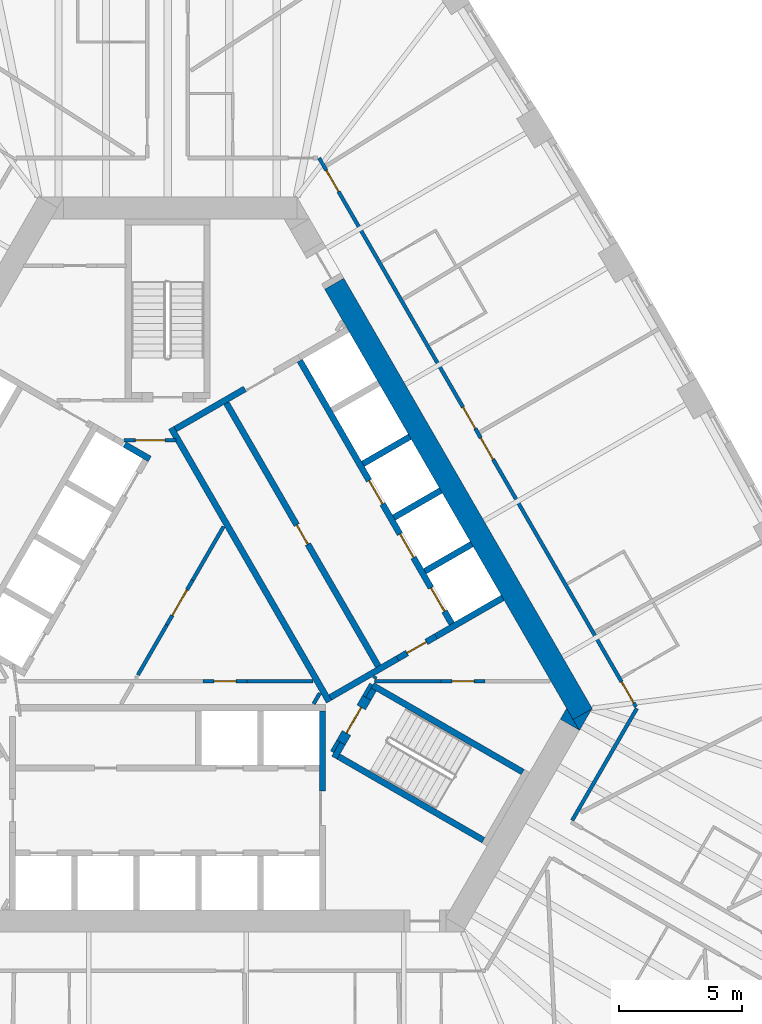
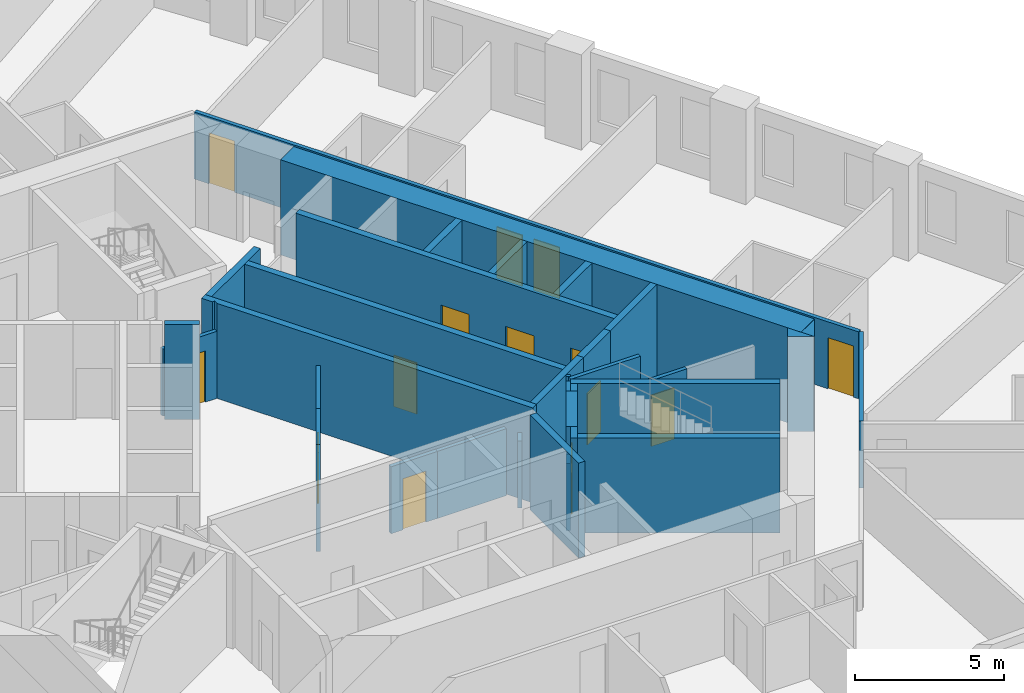
# One storey, part 8 of 13: 34 walls, 14 doors, 14 openings.
"""IFC4 building model written with IfcOpenShell, lengths in metres."""

from ifc_helpers import new_model, si_unit, direction, frame, frame_2d, origin, place, context, subcontext, project, spatial, polyline, rectangle, outline, extrude, material, layer, layer_set, type_object, element, fill, save


model = new_model("IFC4")

# Units and contexts
model_context = context("Model", 3, precision=1e-05, world=origin(), true_north=direction((0.0, 1.0)))
body_context = subcontext(model_context, "Body", "Model", "MODEL_VIEW")
ifc_project = project(units=[si_unit("LENGTHUNIT", "METRE"), si_unit("AREAUNIT", "SQUARE_METRE"), si_unit("VOLUMEUNIT", "CUBIC_METRE"), si_unit("PLANEANGLEUNIT", "RADIAN"), si_unit("MASSUNIT", "GRAM", prefix="KILO")], contexts=[model_context])

# Site, building, storey
site_placement = place(None, origin())
site = spatial("IfcSite", under=ifc_project, at=site_placement, CompositionType="ELEMENT")
building_placement = place(site_placement, origin())
building = spatial("IfcBuilding", under=site, at=building_placement, Name="Mestral Congress Tower", CompositionType="ELEMENT")
storey_placement = place(building_placement, frame((0.0, 0.0, 54.89990234375)))
storey = spatial("IfcBuildingStorey", under=building, at=storey_placement, Name="L12", CompositionType="ELEMENT", Elevation=54.89990234375)

# Walls
ifc_material_1 = material(Name="Fire-rated board partition")
ifc_layer_1 = layer(ifc_material_1, 0.14990234375)
ifc_layer_set_1 = layer_set([ifc_layer_1], Name="Fire-rated board partition")
wall_type_1 = type_object("IfcWallType", Name="Core partition 150", PredefinedType="PARTITIONING", material=ifc_layer_set_1)
wall_1_placement = place(storey_placement, frame((-1.20849609375, -2.5439453125, 0.0), z_axis=(0.0, 0.0, 1.0), x_axis=(0.499995339376, 0.86602809458, 0.0)))
element("IfcWall", 1, at=wall_1_placement, inside=storey, type_object=wall_type_1, Name="L12 core wall", PredefinedType="PARTITIONING", context=body_context, shape_type="SweptSolid", body=[
    extrude(rectangle(XDim=2.34912109375, YDim=0.14990234375, at=frame_2d((1.174560546875, 0.0))), origin(), (0.0, 0.0, 1.0), 2.75),
])
wall_2_placement = place(storey_placement, frame((6.68798828125, -5.667236328125, 0.0), z_axis=(0.0, 0.0, 1.0), x_axis=(0.499834152157, 0.86612113491, 0.0)))
element("IfcWall", 2, at=wall_2_placement, inside=storey, type_object=wall_type_1, Name="L12 core wall", PredefinedType="PARTITIONING", context=body_context, shape_type="SweptSolid", body=[
    extrude(rectangle(XDim=0.504638671875, YDim=0.14990234375, at=frame_2d((0.25244140625, 0.0))), origin(), (0.0, 0.0, 1.0), 2.75),
])
wall_3_placement = place(storey_placement, frame((5.935791015625, -3.718017578125, 0.0), z_axis=(0.0, 0.0, 1.0), x_axis=(0.499890179513, 0.866088799389, 0.0)))
element("IfcWall", 3, at=wall_3_placement, inside=storey, type_object=wall_type_1, Name="L12 core wall", PredefinedType="PARTITIONING", context=body_context, shape_type="SweptSolid", body=[
    extrude(rectangle(XDim=0.50390625, YDim=0.14990234375, at=frame_2d((0.251953125, 0.0))), origin(), (0.0, 0.0, 1.0), 2.75),
])
wall_4_placement = place(storey_placement, frame((3.23828125, -2.800048828125, 0.0), z_axis=(0.0, 0.0, 1.0), x_axis=(1.0, 0.0, 0.0)))
element("IfcWall", 4, at=wall_4_placement, inside=storey, type_object=wall_type_1, Name="L12 core wall", PredefinedType="PARTITIONING", context=body_context, shape_type="SweptSolid", body=[
    extrude(rectangle(XDim=2.671630859375, YDim=0.14990234375, at=frame_2d((1.3359375, 0.0))), origin(), (0.0, 0.0, 1.0), 2.75),
])
wall_5_placement = place(storey_placement, frame((1.01611328125, 1.30908203125, 0.0), z_axis=(0.0, 0.0, 1.0), x_axis=(0.49998231768, 0.866035612436, 0.0)))
element("IfcWall", 5, at=wall_5_placement, inside=storey, type_object=wall_type_1, Name="L12 core wall", PredefinedType="PARTITIONING", context=body_context, shape_type="SweptSolid", body=[
    extrude(rectangle(XDim=2.52099609375, YDim=0.14990234375, at=frame_2d((1.260498046875, 0.0))), origin(), (0.0, 0.0, 1.0), 2.75),
])

# Wall, opening, door
wall_6_placement = place(storey_placement, frame((-1.765380859375, 7.0, 0.0), z_axis=(0.0, 0.0, 1.0), x_axis=(1.0, 0.0, 0.0)))
wall_6 = element("IfcWall", 6, at=wall_6_placement, inside=storey, type_object=wall_type_1, Name="L12 door wall", PredefinedType="PARTITIONING", context=body_context, shape_type="SweptSolid", body=[
    extrude(rectangle(XDim=2.10009765625, YDim=0.14990234375, at=frame_2d((1.050048828125, 0.0))), origin(), (0.0, 0.0, 1.0), 2.75),
])
opening_1_placement = place(wall_6_placement, frame((0.449951171875, 0.0, 0.0)))
opening_1 = element("IfcOpeningElement", 7, at=opening_1_placement, cuts=wall_6, Name="Opening CD2-FF", PredefinedType="OPENING", context=body_context, shape_type="SweptSolid", body=[
    extrude(rectangle(XDim=1.199951171875, YDim=2.10009765625, at=frame_2d((0.60009765625, 1.050048828125))), frame((0.0, 0.0849609375, 0.0), z_axis=(0.0, -1.0, 0.0), x_axis=(1.0, 0.0, 0.0)), (0.0, 0.0, 1.0), 0.169921875),
])
ifc_material_2 = material(Name="Fire-rated steel door set", Category="steel")
door_type_1 = type_object("IfcDoorType", Name="Core door CD 1200x2100", OperationType="SINGLE_SWING_LEFT", PredefinedType="DOOR", material=ifc_material_2)
door_1_placement = place(opening_1_placement, origin())
door_1 = element("IfcDoor", 8, at=door_1_placement, inside=storey, type_object=door_type_1, Name="Door CD2-FF", OperationType="SINGLE_SWING_LEFT", OverallHeight=2.10009765625, OverallWidth=1.199951171875, PredefinedType="DOOR", context=body_context, shape_type="SweptSolid", body=[
    extrude(rectangle(XDim=1.199951171875, YDim=2.10009765625, at=frame_2d((0.60009765625, 1.050048828125))), frame((0.0, 0.02490234375, 0.0), z_axis=(0.0, -1.0, 0.0), x_axis=(1.0, 0.0, 0.0)), (0.0, 0.0, 1.0), 0.050048828125),
])
fill(opening_1, door_1)

wall_7_placement = place(storey_placement, frame((-0.0341796875, -0.50927734375, 0.0), z_axis=(0.0, 0.0, 1.0), x_axis=(0.49994051562, 0.866059744384, 0.0)))
wall_7 = element("IfcWall", 9, at=wall_7_placement, inside=storey, type_object=wall_type_1, Name="L12 door wall", PredefinedType="PARTITIONING", context=body_context, shape_type="SweptSolid", body=[
    extrude(rectangle(XDim=2.099853515625, YDim=0.14990234375, at=frame_2d((1.0498046875, 0.0))), origin(), (0.0, 0.0, 1.0), 2.75),
])
opening_2_placement = place(wall_7_placement, frame((0.449951171875, 0.0, 0.0)))
opening_2 = element("IfcOpeningElement", 10, at=opening_2_placement, cuts=wall_7, Name="Opening CD3-HUB0", PredefinedType="OPENING", context=body_context, shape_type="SweptSolid", body=[
    extrude(rectangle(XDim=1.199951171875, YDim=2.10009765625, at=frame_2d((0.60009765625, 1.050048828125))), frame((0.0, 0.0849609375, 0.0), z_axis=(0.0, -1.0, 0.0), x_axis=(1.0, 0.0, 0.0)), (0.0, 0.0, 1.0), 0.169921875),
])
door_2_placement = place(opening_2_placement, origin())
door_2 = element("IfcDoor", 11, at=door_2_placement, inside=storey, type_object=door_type_1, Name="Door CD3-HUB0", OperationType="SINGLE_SWING_LEFT", OverallHeight=2.10009765625, OverallWidth=1.199951171875, PredefinedType="DOOR", context=body_context, shape_type="SweptSolid", body=[
    extrude(rectangle(XDim=1.199951171875, YDim=2.10009765625, at=frame_2d((0.60009765625, 1.050048828125))), frame((0.0, 0.02490234375, 0.0), z_axis=(0.0, -1.0, 0.0), x_axis=(1.0, 0.0, 0.0)), (0.0, 0.0, 1.0), 0.050048828125),
])
fill(opening_2, door_2)

wall_8_placement = place(storey_placement, frame((1.438232421875, -2.800048828125, 0.0), z_axis=(0.0, 0.0, 1.0), x_axis=(1.0, 0.0, 0.0)))
wall_8 = element("IfcWall", 12, at=wall_8_placement, inside=storey, type_object=wall_type_1, Name="L12 door wall", PredefinedType="PARTITIONING", context=body_context, shape_type="SweptSolid", body=[
    extrude(rectangle(XDim=1.800048828125, YDim=0.14990234375, at=frame_2d((0.89990234375, 0.0))), origin(), (0.0, 0.0, 1.0), 2.75),
])
opening_3_placement = place(wall_8_placement, frame((0.449951171875, 0.0, 0.0)))
opening_3 = element("IfcOpeningElement", 13, at=opening_3_placement, cuts=wall_8, Name="Opening SD-HUB3", PredefinedType="OPENING", context=body_context, shape_type="SweptSolid", body=[
    extrude(rectangle(XDim=0.89990234375, YDim=2.10009765625, at=frame_2d((0.449951171875, 1.050048828125))), frame((0.0, 0.0849609375, 0.0), z_axis=(0.0, -1.0, 0.0), x_axis=(1.0, 0.0, 0.0)), (0.0, 0.0, 1.0), 0.169921875),
])
door_type_2 = type_object("IfcDoorType", Name="Core door SR 900x2100", OperationType="SINGLE_SWING_LEFT", PredefinedType="DOOR", material=ifc_material_2)
door_3_placement = place(opening_3_placement, origin())
door_3 = element("IfcDoor", 14, at=door_3_placement, inside=storey, type_object=door_type_2, Name="Door SD-HUB3", OperationType="SINGLE_SWING_LEFT", OverallHeight=2.10009765625, OverallWidth=0.89990234375, PredefinedType="DOOR", context=body_context, shape_type="SweptSolid", body=[
    extrude(rectangle(XDim=0.89990234375, YDim=2.10009765625, at=frame_2d((0.449951171875, 1.050048828125))), frame((0.0, 0.02490234375, 0.0), z_axis=(0.0, -1.0, 0.0), x_axis=(1.0, 0.0, 0.0)), (0.0, 0.0, 1.0), 0.050048828125),
])
fill(opening_3, door_3)

wall_9_placement = place(storey_placement, frame((11.114501953125, -2.800048828125, 0.0), z_axis=(0.0, 0.0, 1.0), x_axis=(1.0, 0.0, 0.0)))
wall_9 = element("IfcWall", 15, at=wall_9_placement, inside=storey, type_object=wall_type_1, Name="L12 door wall", PredefinedType="PARTITIONING", context=body_context, shape_type="SweptSolid", body=[
    extrude(rectangle(XDim=1.800048828125, YDim=0.14990234375, at=frame_2d((0.89990234375, 0.0))), origin(), (0.0, 0.0, 1.0), 2.75),
])
opening_4_placement = place(wall_9_placement, frame((0.449951171875, 0.0, 0.0)))
opening_4 = element("IfcOpeningElement", 16, at=opening_4_placement, cuts=wall_9, Name="Opening TD1", PredefinedType="OPENING", context=body_context, shape_type="SweptSolid", body=[
    extrude(rectangle(XDim=0.89990234375, YDim=2.10009765625, at=frame_2d((0.449951171875, 1.050048828125))), frame((0.0, 0.0849609375, 0.0), z_axis=(0.0, -1.0, 0.0), x_axis=(1.0, 0.0, 0.0)), (0.0, 0.0, 1.0), 0.169921875),
])
door_4_placement = place(opening_4_placement, origin())
door_4 = element("IfcDoor", 17, at=door_4_placement, inside=storey, type_object=door_type_2, Name="Door TD1", OperationType="SINGLE_SWING_LEFT", OverallHeight=2.10009765625, OverallWidth=0.89990234375, PredefinedType="DOOR", context=body_context, shape_type="SweptSolid", body=[
    extrude(rectangle(XDim=0.89990234375, YDim=2.10009765625, at=frame_2d((0.449951171875, 1.050048828125))), frame((0.0, 0.02490234375, 0.0), z_axis=(0.0, -1.0, 0.0), x_axis=(1.0, 0.0, 0.0)), (0.0, 0.0, 1.0), 0.050048828125),
])
fill(opening_4, door_4)

# Walls
ifc_material_3 = material(Name="Concrete C60/75", Category="concrete")
ifc_layer_2 = layer(ifc_material_3, 0.89990234375)
ifc_layer_set_2 = layer_set([ifc_layer_2], Name="Concrete C60/75")
wall_type_2 = type_object("IfcWallType", Name="Core wall RC 900", PredefinedType="SOLIDWALL", material=ifc_layer_set_2)
wall_10_placement = place(storey_placement, frame((6.77587890625, 13.36376953125, 0.0), z_axis=(0.0, 0.0, 1.0), x_axis=(0.500004177138, -0.8660229921, 0.0)))
element("IfcWall", 18, at=wall_10_placement, inside=storey, type_object=wall_type_2, Name="L12 core wall", PredefinedType="SOLIDWALL", context=body_context, shape_type="SweptSolid", body=[
    extrude(rectangle(XDim=20.203857421875, YDim=0.89990234375, at=frame_2d((10.10205078125, 0.0))), origin(), (0.0, 0.0, 1.0), 3.900146484375),
])
placement = place(storey_placement, origin())
element("IfcWall", 19, at=placement, inside=storey, type_object=wall_type_2, Name="L12 core wall", PredefinedType="SOLIDWALL", context=body_context, shape_type="SweptSolid", body=[
    extrude(outline(polyline([(16.7431640625, -4.800048828125), (16.4892578125, -4.360107421875), (17.251220703125, -3.920166015625), (16.7431640625, -4.800048828125)])), origin(), (0.0, 0.0, 1.0), 3.900146484375),
])
element("IfcWall", 20, at=placement, inside=storey, type_object=wall_type_2, Name="L12 core wall", PredefinedType="SOLIDWALL", context=body_context, shape_type="SweptSolid", body=[
    extrude(outline(polyline([(16.223388671875, -3.900146484375), (16.731689453125, -4.780029296875), (15.969482421875, -4.340087890625), (16.223388671875, -3.900146484375)])), origin(), (0.0, 0.0, 1.0), 3.900146484375),
])
ifc_material_4 = material(Name="Gypsum board partition on metal studs with mineral wool", Category="composite")
ifc_layer_3 = layer(ifc_material_4, 0.14990234375)
ifc_layer_set_3 = layer_set([ifc_layer_3], Name="Gypsum board partition on metal studs with mineral wool")
wall_type_3 = type_object("IfcWallType", Name="Hotel partition wall 150", PredefinedType="PARTITIONING", material=ifc_layer_set_3)
wall_13_placement = place(storey_placement, frame((19.081298828125, -3.89990234375, 0.0), z_axis=(0.0, 0.0, 1.0), x_axis=(-0.499974327079, -0.866040225545, 0.0)))
element("IfcWall", 21, at=wall_13_placement, inside=storey, type_object=wall_type_3, Name="L12-h-cw02", PredefinedType="PARTITIONING", context=body_context, shape_type="SweptSolid", body=[
    extrude(rectangle(XDim=5.258056640625, YDim=0.14990234375, at=frame_2d((2.62890625, 0.0))), origin(), (0.0, 0.0, 1.0), 2.75),
])

# Wall, openings, doors
wall_14_placement = place(storey_placement, frame((6.1630859375, 18.47509765625, 0.0), z_axis=(0.0, 0.0, 1.0), x_axis=(0.500001317485, -0.866024643133, 0.0)))
wall_14 = element("IfcWall", 22, at=wall_14_placement, inside=storey, type_object=wall_type_3, Name="L12-h-cw03", PredefinedType="PARTITIONING", context=body_context, shape_type="SweptSolid", body=[
    extrude(rectangle(XDim=25.7666015625, YDim=0.14990234375, at=frame_2d((12.88330078125, 0.0))), origin(), (0.0, 0.0, 1.0), 2.75),
])
opening_5_placement = place(wall_14_placement, frame((24.58642578125, 0.0, 0.0)))
opening_5 = element("IfcOpeningElement", 23, at=opening_5_placement, cuts=wall_14, Name="Opening H03-021", PredefinedType="OPENING", context=body_context, shape_type="SweptSolid", body=[
    extrude(rectangle(XDim=1.0, YDim=2.10009765625, at=frame_2d((0.5, 1.050048828125))), frame((0.0, 0.0849609375, 0.0), z_axis=(0.0, -1.0, 0.0), x_axis=(1.0, 0.0, 0.0)), (0.0, 0.0, 1.0), 0.169921875),
])
opening_6_placement = place(wall_14_placement, frame((13.143798828125, 0.0, 0.0)))
opening_6 = element("IfcOpeningElement", 24, at=opening_6_placement, cuts=wall_14, Name="Opening H03-023", PredefinedType="OPENING", context=body_context, shape_type="SweptSolid", body=[
    extrude(rectangle(XDim=1.0, YDim=2.10009765625, at=frame_2d((0.5, 1.050048828125))), frame((0.0, 0.0849609375, 0.0), z_axis=(0.0, -1.0, 0.0), x_axis=(1.0, 0.0, 0.0)), (0.0, 0.0, 1.0), 0.169921875),
])
opening_7_placement = place(wall_14_placement, frame((11.6923828125, 0.0, 0.0)))
opening_7 = element("IfcOpeningElement", 25, at=opening_7_placement, cuts=wall_14, Name="Opening H03-025", PredefinedType="OPENING", context=body_context, shape_type="SweptSolid", body=[
    extrude(rectangle(XDim=1.0, YDim=2.10009765625, at=frame_2d((0.5, 1.050048828125))), frame((0.0, 0.0849609375, 0.0), z_axis=(0.0, -1.0, 0.0), x_axis=(1.0, 0.0, 0.0)), (0.0, 0.0, 1.0), 0.169921875),
])
opening_8_placement = place(wall_14_placement, frame((0.571533203125, 0.0, 0.0)))
opening_8 = element("IfcOpeningElement", 26, at=opening_8_placement, cuts=wall_14, Name="Opening H03-027", PredefinedType="OPENING", context=body_context, shape_type="SweptSolid", body=[
    extrude(rectangle(XDim=1.0, YDim=2.10009765625, at=frame_2d((0.5, 1.050048828125))), frame((0.0, 0.0849609375, 0.0), z_axis=(0.0, -1.0, 0.0), x_axis=(1.0, 0.0, 0.0)), (0.0, 0.0, 1.0), 0.169921875),
])
ifc_material_5 = material(Name="Timber veneer door leaf in metal frame", Category="wood")
door_type_3 = type_object("IfcDoorType", Name="Guest room entrance door 1000", OperationType="SINGLE_SWING_LEFT", PredefinedType="DOOR", material=ifc_material_5)
door_5_placement = place(opening_5_placement, origin())
door_5 = element("IfcDoor", 27, at=door_5_placement, inside=storey, type_object=door_type_3, Name="L12-h-d021", OperationType="SINGLE_SWING_RIGHT", OverallHeight=2.10009765625, OverallWidth=1.0, PredefinedType="DOOR", context=body_context, shape_type="SweptSolid", body=[
    extrude(rectangle(XDim=1.0, YDim=2.10009765625, at=frame_2d((0.5, 1.050048828125))), frame((0.0, 0.02490234375, 0.0), z_axis=(0.0, -1.0, 0.0), x_axis=(1.0, 0.0, 0.0)), (0.0, 0.0, 1.0), 0.050048828125),
])
fill(opening_5, door_5)
door_6_placement = place(opening_6_placement, origin())
door_6 = element("IfcDoor", 28, at=door_6_placement, inside=storey, type_object=door_type_3, Name="L12-h-d023", OperationType="SINGLE_SWING_LEFT", OverallHeight=2.10009765625, OverallWidth=1.0, PredefinedType="DOOR", context=body_context, shape_type="SweptSolid", body=[
    extrude(rectangle(XDim=1.0, YDim=2.10009765625, at=frame_2d((0.5, 1.050048828125))), frame((0.0, 0.02490234375, 0.0), z_axis=(0.0, -1.0, 0.0), x_axis=(1.0, 0.0, 0.0)), (0.0, 0.0, 1.0), 0.050048828125),
])
fill(opening_6, door_6)
door_7_placement = place(opening_7_placement, origin())
door_7 = element("IfcDoor", 29, at=door_7_placement, inside=storey, type_object=door_type_3, Name="L12-h-d025", OperationType="SINGLE_SWING_RIGHT", OverallHeight=2.10009765625, OverallWidth=1.0, PredefinedType="DOOR", context=body_context, shape_type="SweptSolid", body=[
    extrude(rectangle(XDim=1.0, YDim=2.10009765625, at=frame_2d((0.5, 1.050048828125))), frame((0.0, 0.02490234375, 0.0), z_axis=(0.0, -1.0, 0.0), x_axis=(1.0, 0.0, 0.0)), (0.0, 0.0, 1.0), 0.050048828125),
])
fill(opening_7, door_7)
door_8_placement = place(opening_8_placement, origin())
door_8 = element("IfcDoor", 30, at=door_8_placement, inside=storey, type_object=door_type_3, Name="L12-h-d027", OperationType="SINGLE_SWING_LEFT", OverallHeight=2.10009765625, OverallWidth=1.0, PredefinedType="DOOR", context=body_context, shape_type="SweptSolid", body=[
    extrude(rectangle(XDim=1.0, YDim=2.10009765625, at=frame_2d((0.5, 1.050048828125))), frame((0.0, 0.02490234375, 0.0), z_axis=(0.0, -1.0, 0.0), x_axis=(1.0, 0.0, 0.0)), (0.0, 0.0, 1.0), 0.050048828125),
])
fill(opening_8, door_8)

# Walls
ifc_layer_4 = layer(ifc_material_3, 0.25)
ifc_layer_set_4 = layer_set([ifc_layer_4], Name="Concrete C60/75")
wall_type_4 = type_object("IfcWallType", Name="Shaft wall RC 250", PredefinedType="SOLIDWALL", material=ifc_layer_set_4)
wall_15_placement = place(storey_placement, frame((6.300048828125, -7.26806640625, 0.0), z_axis=(0.0, 0.0, 1.0), x_axis=(0.0, 1.0, 0.0)))
element("IfcWall", 31, at=wall_15_placement, inside=storey, type_object=wall_type_4, Name="L12 core wall", PredefinedType="SOLIDWALL", context=body_context, shape_type="SweptSolid", body=[
    extrude(rectangle(XDim=3.26806640625, YDim=0.25, at=frame_2d((1.634033203125, 0.0))), origin(), (0.0, 0.0, 1.0), 3.900146484375),
])
wall_16_placement = place(storey_placement, frame((10.463623046875, 1.676513671875, 0.0), z_axis=(0.0, 0.0, 1.0), x_axis=(0.86605622881, 0.499946605688, 0.0)))
element("IfcWall", 32, at=wall_16_placement, inside=storey, type_object=wall_type_4, Name="L12 core wall", PredefinedType="SOLIDWALL", context=body_context, shape_type="SweptSolid", body=[
    extrude(rectangle(XDim=2.199951171875, YDim=0.25, at=frame_2d((1.10009765625, 0.0))), origin(), (0.0, 0.0, 1.0), 3.900146484375),
])
element("IfcWall", 33, at=placement, inside=storey, type_object=wall_type_4, Name="L12 core wall", PredefinedType="SOLIDWALL", context=body_context, shape_type="SweptSolid", body=[
    extrude(outline(polyline([(0.334716796875, 6.925048828125), (0.334716796875, 6.925048828125), (0.334716796875, 7.074951171875), (0.334716796875, 7.074951171875), (0.334716796875, 7.0751953125), (0.245361328125, 7.0751953125), (0.079345703125, 7.362548828125), (0.03515625, 7.439208984375), (0.251708984375, 7.564208984375), (0.376708984375, 7.34765625), (6.551513671875, -3.34765625), (6.676513671875, -3.564208984375), (6.460205078125, -3.689208984375), (4.896728515625, -0.981201171875), (0.33203125, 6.9248046875), (0.334716796875, 6.9248046875), (0.334716796875, 6.925048828125)])), origin(), (0.0, 0.0, 1.0), 3.900146484375),
])
wall_18_placement = place(storey_placement, frame((0.314208984375, 7.455810546875, 0.0), z_axis=(0.0, 0.0, 1.0), x_axis=(0.866013897511, 0.50001992892, 0.0)))
element("IfcWall", 34, at=wall_18_placement, inside=storey, type_object=wall_type_4, Name="L12 core wall", PredefinedType="SOLIDWALL", context=body_context, shape_type="SweptSolid", body=[
    extrude(rectangle(XDim=3.267822265625, YDim=0.25, at=frame_2d((1.6337890625, 0.0))), origin(), (0.0, 0.0, 1.0), 3.900146484375),
])
wall_19_placement = place(storey_placement, frame((9.35205078125, -1.875244140625, 0.0), z_axis=(0.0, 0.0, 1.0), x_axis=(-0.866024844342, -0.500000968981, 0.0)))
element("IfcWall", 35, at=wall_19_placement, inside=storey, type_object=wall_type_4, Name="L12 core wall", PredefinedType="SOLIDWALL", context=body_context, shape_type="SweptSolid", body=[
    extrude(rectangle(XDim=3.16162109375, YDim=0.25, at=frame_2d((1.580810546875, 0.0))), origin(), (0.0, 0.0, 1.0), 3.900146484375),
])
for number, where, z_axis, x_axis, name in (
    (36, (7.943603515625, 6.041259765625, 0.0), (0.0, 0.0, 1.0), (0.86605622881, 0.499946605688, 0.0), "L12 core wall"),
    (37, (9.20361328125, 3.85888671875, 0.0), (0.0, 0.0, 1.0), (0.86605622881, 0.499946605688, 0.0), "L12 core wall"),
):
    element("IfcWall", number, at=place(storey_placement, frame(where, z_axis=z_axis, x_axis=x_axis)), inside=storey, type_object=wall_type_4, Name=name, PredefinedType="SOLIDWALL", context=body_context, shape_type="SweptSolid", body=[
        extrude(rectangle(XDim=2.199951171875, YDim=0.25, at=frame_2d((1.10009765625, 0.0))), origin(), (0.0, 0.0, 1.0), 3.900146484375),
    ])
wall_20_placement = place(storey_placement, frame((10.910888671875, -0.97509765625, 0.0), z_axis=(0.0, 0.0, 1.0), x_axis=(0.866046979468, 0.499962627957, 0.0)))
element("IfcWall", 38, at=wall_20_placement, inside=storey, type_object=wall_type_4, Name="L12 core wall", PredefinedType="SOLIDWALL", context=body_context, shape_type="SweptSolid", body=[
    extrude(rectangle(XDim=3.138427734375, YDim=0.25, at=frame_2d((1.5693359375, 0.0))), origin(), (0.0, 0.0, 1.0), 3.900146484375),
])
wall_21_placement = place(storey_placement, frame((-0.7275390625, 6.23974609375, 0.0), z_axis=(0.0, 0.0, 1.0), x_axis=(-0.866002680491, 0.500039355833, 0.0)))
element("IfcWall", 39, at=wall_21_placement, inside=storey, type_object=wall_type_4, Name="L12 core wall", PredefinedType="SOLIDWALL", context=body_context, shape_type="SweptSolid", body=[
    extrude(rectangle(XDim=1.17822265625, YDim=0.25, at=frame_2d((0.589111328125, 0.0))), origin(), (0.0, 0.0, 1.0), 3.900146484375),
])

# Wall, openings, doors
wall_22_placement = place(storey_placement, frame((11.552978515625, -0.460205078125, 0.0), z_axis=(0.0, 0.0, 1.0), x_axis=(-0.500006514828, 0.866021642414, 0.0)))
wall_22 = element("IfcWall", 40, at=wall_22_placement, inside=storey, type_object=wall_type_4, Name="L12 door wall", PredefinedType="SOLIDWALL", context=body_context, shape_type="SweptSolid", body=[
    extrude(rectangle(XDim=12.349853515625, YDim=0.25, at=frame_2d((6.1748046875, 0.0))), origin(), (0.0, 0.0, 1.0), 3.900146484375),
])
opening_9_placement = place(wall_22_placement, frame((0.5849609375, 0.0, 0.0)))
opening_9 = element("IfcOpeningElement", 41, at=opening_9_placement, cuts=wall_22, Name="Opening LD-NEA1", PredefinedType="OPENING", context=body_context, shape_type="SweptSolid", body=[
    extrude(rectangle(XDim=1.10009765625, YDim=2.10009765625, at=frame_2d((0.550048828125, 1.050048828125))), frame((0.0, 0.135009765625, 0.0), z_axis=(0.0, -1.0, 0.0), x_axis=(1.0, 0.0, 0.0)), (0.0, 0.0, 1.0), 0.27001953125),
])
opening_10_placement = place(wall_22_placement, frame((3.10498046875, 0.0, 0.0)))
opening_10 = element("IfcOpeningElement", 42, at=opening_10_placement, cuts=wall_22, Name="Opening LD-NEA2", PredefinedType="OPENING", context=body_context, shape_type="SweptSolid", body=[
    extrude(rectangle(XDim=1.10009765625, YDim=2.10009765625, at=frame_2d((0.550048828125, 1.050048828125))), frame((0.0, 0.135009765625, 0.0), z_axis=(0.0, -1.0, 0.0), x_axis=(1.0, 0.0, 0.0)), (0.0, 0.0, 1.0), 0.27001953125),
])
opening_11_placement = place(wall_22_placement, frame((5.625, 0.0, 0.0)))
opening_11 = element("IfcOpeningElement", 43, at=opening_11_placement, cuts=wall_22, Name="Opening LD-NEA3", PredefinedType="OPENING", context=body_context, shape_type="SweptSolid", body=[
    extrude(rectangle(XDim=1.10009765625, YDim=2.10009765625, at=frame_2d((0.550048828125, 1.050048828125))), frame((0.0, 0.135009765625, 0.0), z_axis=(0.0, -1.0, 0.0), x_axis=(1.0, 0.0, 0.0)), (0.0, 0.0, 1.0), 0.27001953125),
])
door_type_4 = type_object("IfcDoorType", Name="Core door LD 1100x2100", OperationType="DOUBLE_DOOR_SLIDING", PredefinedType="DOOR", material=ifc_material_2)
door_9_placement = place(opening_9_placement, origin())
door_9 = element("IfcDoor", 44, at=door_9_placement, inside=storey, type_object=door_type_4, Name="Door LD-NEA1", OperationType="DOUBLE_DOOR_SLIDING", OverallHeight=2.10009765625, OverallWidth=1.10009765625, PredefinedType="DOOR", context=body_context, shape_type="SweptSolid", body=[
    extrude(rectangle(XDim=1.10009765625, YDim=2.10009765625, at=frame_2d((0.550048828125, 1.050048828125))), frame((0.0, 0.02490234375, 0.0), z_axis=(0.0, -1.0, 0.0), x_axis=(1.0, 0.0, 0.0)), (0.0, 0.0, 1.0), 0.050048828125),
])
fill(opening_9, door_9)
door_10_placement = place(opening_10_placement, origin())
door_10 = element("IfcDoor", 45, at=door_10_placement, inside=storey, type_object=door_type_4, Name="Door LD-NEA2", OperationType="DOUBLE_DOOR_SLIDING", OverallHeight=2.10009765625, OverallWidth=1.10009765625, PredefinedType="DOOR", context=body_context, shape_type="SweptSolid", body=[
    extrude(rectangle(XDim=1.10009765625, YDim=2.10009765625, at=frame_2d((0.550048828125, 1.050048828125))), frame((0.0, 0.02490234375, 0.0), z_axis=(0.0, -1.0, 0.0), x_axis=(1.0, 0.0, 0.0)), (0.0, 0.0, 1.0), 0.050048828125),
])
fill(opening_10, door_10)
door_11_placement = place(opening_11_placement, origin())
door_11 = element("IfcDoor", 46, at=door_11_placement, inside=storey, type_object=door_type_4, Name="Door LD-NEA3", OperationType="DOUBLE_DOOR_SLIDING", OverallHeight=2.10009765625, OverallWidth=1.10009765625, PredefinedType="DOOR", context=body_context, shape_type="SweptSolid", body=[
    extrude(rectangle(XDim=1.10009765625, YDim=2.10009765625, at=frame_2d((0.550048828125, 1.050048828125))), frame((0.0, 0.02490234375, 0.0), z_axis=(0.0, -1.0, 0.0), x_axis=(1.0, 0.0, 0.0)), (0.0, 0.0, 1.0), 0.050048828125),
])
fill(opening_11, door_11)

# Wall, opening, door
wall_23_placement = place(storey_placement, frame((8.565185546875, -2.185302734375, 0.0), z_axis=(0.0, 0.0, 1.0), x_axis=(-0.499997954832, 0.866026584559, 0.0)))
wall_23 = element("IfcWall", 47, at=wall_23_placement, inside=storey, type_object=wall_type_4, Name="L12 door wall", PredefinedType="SOLIDWALL", context=body_context, shape_type="SweptSolid", body=[
    extrude(rectangle(XDim=12.35009765625, YDim=0.25, at=frame_2d((6.175048828125, 0.0))), origin(), (0.0, 0.0, 1.0), 3.900146484375),
])
opening_12_placement = place(wall_23_placement, frame((5.72509765625, 0.0, 0.0)))
opening_12 = element("IfcOpeningElement", 48, at=opening_12_placement, cuts=wall_23, Name="Opening SR-NEB1", PredefinedType="OPENING", context=body_context, shape_type="SweptSolid", body=[
    extrude(rectangle(XDim=0.89990234375, YDim=2.10009765625, at=frame_2d((0.449951171875, 1.050048828125))), frame((0.0, 0.135009765625, 0.0), z_axis=(0.0, -1.0, 0.0), x_axis=(1.0, 0.0, 0.0)), (0.0, 0.0, 1.0), 0.27001953125),
])
door_12_placement = place(opening_12_placement, origin())
door_12 = element("IfcDoor", 49, at=door_12_placement, inside=storey, type_object=door_type_2, Name="Door SR-NEB1", OperationType="SINGLE_SWING_LEFT", OverallHeight=2.10009765625, OverallWidth=0.89990234375, PredefinedType="DOOR", context=body_context, shape_type="SweptSolid", body=[
    extrude(rectangle(XDim=0.89990234375, YDim=2.10009765625, at=frame_2d((0.449951171875, 1.050048828125))), frame((0.0, 0.02490234375, 0.0), z_axis=(0.0, -1.0, 0.0), x_axis=(1.0, 0.0, 0.0)), (0.0, 0.0, 1.0), 0.050048828125),
])
fill(opening_12, door_12)

wall_24_placement = place(storey_placement, frame((9.35205078125, -1.875244140625, 0.0), z_axis=(0.0, 0.0, 1.0), x_axis=(0.865989075817, 0.500062916607, 0.0)))
wall_24 = element("IfcWall", 50, at=wall_24_placement, inside=storey, type_object=wall_type_4, Name="L12 door wall", PredefinedType="SOLIDWALL", context=body_context, shape_type="SweptSolid", body=[
    extrude(rectangle(XDim=1.800048828125, YDim=0.25, at=frame_2d((0.89990234375, 0.0))), origin(), (0.0, 0.0, 1.0), 3.900146484375),
])
opening_13_placement = place(wall_24_placement, frame((0.449951171875, 0.0, 0.0)))
opening_13 = element("IfcOpeningElement", 51, at=opening_13_placement, cuts=wall_24, Name="Opening SD-HUB2", PredefinedType="OPENING", context=body_context, shape_type="SweptSolid", body=[
    extrude(rectangle(XDim=0.89990234375, YDim=2.10009765625, at=frame_2d((0.449951171875, 1.050048828125))), frame((0.0, 0.135009765625, 0.0), z_axis=(0.0, -1.0, 0.0), x_axis=(1.0, 0.0, 0.0)), (0.0, 0.0, 1.0), 0.27001953125),
])
door_13_placement = place(opening_13_placement, origin())
door_13 = element("IfcDoor", 52, at=door_13_placement, inside=storey, type_object=door_type_2, Name="Door SD-HUB2", OperationType="SINGLE_SWING_LEFT", OverallHeight=2.10009765625, OverallWidth=0.89990234375, PredefinedType="DOOR", context=body_context, shape_type="SweptSolid", body=[
    extrude(rectangle(XDim=0.89990234375, YDim=2.10009765625, at=frame_2d((0.449951171875, 1.050048828125))), frame((0.0, 0.02490234375, 0.0), z_axis=(0.0, -1.0, 0.0), x_axis=(1.0, 0.0, 0.0)), (0.0, 0.0, 1.0), 0.050048828125),
])
fill(opening_13, door_13)

# Walls
ifc_layer_5 = layer(ifc_material_3, 0.14990234375)
ifc_layer_set_5 = layer_set([ifc_layer_5], Name="Concrete C60/75")
wall_type_5 = type_object("IfcWallType", Name="Shaft wall RC 250 door-wall 150", PredefinedType="SOLIDWALL", material=ifc_layer_set_5)
wall_25_placement = place(storey_placement, frame((8.412109375, -2.800048828125, 0.0), z_axis=(0.0, 0.0, 1.0), x_axis=(1.0, 0.0, 0.0)))
element("IfcWall", 53, at=wall_25_placement, inside=storey, type_object=wall_type_5, Name="L12 core wall", PredefinedType="PARTITIONING", context=body_context, shape_type="SweptSolid", body=[
    extrude(rectangle(XDim=2.702392578125, YDim=0.14990234375, at=frame_2d((1.35107421875, 0.0))), origin(), (0.0, 0.0, 1.0), 3.900146484375),
])
wall_26_placement = place(storey_placement, frame((8.458984375, -2.598876953125, 0.0), z_axis=(0.0, 0.0, 1.0), x_axis=(-0.501919277433, -0.864914469148, 0.0)))
element("IfcWall", 54, at=wall_26_placement, inside=storey, type_object=wall_type_5, Name="L12 core wall", PredefinedType="PARTITIONING", context=body_context, shape_type="SweptSolid", body=[
    extrude(rectangle(XDim=0.10888671875, YDim=0.14990234375, at=frame_2d((0.054443359375, 0.0))), origin(), (0.0, 0.0, 1.0), 3.900146484375),
])
wall_27_placement = place(storey_placement, frame((8.281494140625, -2.906982421875, 0.0), z_axis=(0.0, 0.0, 1.0), x_axis=(-0.500193841991, -0.86591346013, 0.0)))
element("IfcWall", 55, at=wall_27_placement, inside=storey, type_object=wall_type_5, Name="L12 core wall", PredefinedType="PARTITIONING", context=body_context, shape_type="SweptSolid", body=[
    extrude(rectangle(XDim=0.582763671875, YDim=0.14990234375, at=frame_2d((0.29150390625, 0.0))), origin(), (0.0, 0.0, 1.0), 3.900146484375),
])
ifc_layer_6 = layer(ifc_material_3, 0.25)
ifc_layer_set_6 = layer_set([ifc_layer_6], Name="Concrete C60/75")
wall_type_6 = type_object("IfcWallType", Name="Stair wall RC 250", PredefinedType="SOLIDWALL", material=ifc_layer_set_6)
wall_28_placement = place(storey_placement, frame((12.83984375, -9.2607421875, 0.0), z_axis=(0.0, 0.0, 1.0), x_axis=(-0.866013990052, 0.500019768644, 0.0)))
element("IfcWall", 56, at=wall_28_placement, inside=storey, type_object=wall_type_6, Name="L12 core wall", PredefinedType="SOLIDWALL", context=body_context, shape_type="SweptSolid", body=[
    extrude(rectangle(XDim=6.800048828125, YDim=0.25, at=frame_2d((3.39990234375, 0.0))), origin(), (0.0, 0.0, 1.0), 3.900146484375),
])
wall_29_placement = place(storey_placement, frame((7.11279296875, -5.330078125, 0.0), z_axis=(0.0, 0.0, 1.0), x_axis=(-0.499965889992, -0.866045096311, 0.0)))
element("IfcWall", 57, at=wall_29_placement, inside=storey, type_object=wall_type_6, Name="L12 core wall", PredefinedType="SOLIDWALL", context=body_context, shape_type="SweptSolid", body=[
    extrude(rectangle(XDim=0.66552734375, YDim=0.25, at=frame_2d((0.332763671875, 0.0))), origin(), (0.0, 0.0, 1.0), 3.900146484375),
])
wall_30_placement = place(storey_placement, frame((8.33447265625, -2.96435546875, 0.0), z_axis=(0.0, 0.0, 1.0), x_axis=(0.866016039709, -0.500016218704, 0.0)))
element("IfcWall", 58, at=wall_30_placement, inside=storey, type_object=wall_type_6, Name="L12 core wall", PredefinedType="SOLIDWALL", context=body_context, shape_type="SweptSolid", body=[
    extrude(rectangle(XDim=7.050048828125, YDim=0.25, at=frame_2d((3.52490234375, 0.0))), origin(), (0.0, 0.0, 1.0), 3.900146484375),
])
wall_31_placement = place(storey_placement, frame((8.162841796875, -3.51123046875, 0.0), z_axis=(0.0, 0.0, 1.0), x_axis=(0.500127794843, 0.865951608824, 0.0)))
element("IfcWall", 59, at=wall_31_placement, inside=storey, type_object=wall_type_6, Name="L12 core wall", PredefinedType="SOLIDWALL", context=body_context, shape_type="SweptSolid", body=[
    extrude(rectangle(XDim=0.4345703125, YDim=0.25, at=frame_2d((0.21728515625, 0.0))), origin(), (0.0, 0.0, 1.0), 3.900146484375),
])

# Wall, opening, door
ifc_layer_7 = layer(ifc_material_3, 0.39990234375)
ifc_layer_set_7 = layer_set([ifc_layer_7], Name="Concrete C60/75")
wall_type_7 = type_object("IfcWallType", Name="Stair wall RC 250 door-wall 400", PredefinedType="SOLIDWALL", material=ifc_layer_set_7)
wall_32_placement = place(storey_placement, frame((7.048095703125, -5.29248046875, 0.0), z_axis=(0.0, 0.0, 1.0), x_axis=(0.49994051562, 0.866059744384, 0.0)))
wall_32 = element("IfcWall", 60, at=wall_32_placement, inside=storey, type_object=wall_type_7, Name="L12 door wall", PredefinedType="SOLIDWALL", context=body_context, shape_type="SweptSolid", body=[
    extrude(rectangle(XDim=2.099853515625, YDim=0.39990234375, at=frame_2d((1.0498046875, 0.0))), origin(), (0.0, 0.0, 1.0), 3.900146484375),
])
opening_14_placement = place(wall_32_placement, frame((0.449951171875, 0.0, 0.0)))
opening_14 = element("IfcOpeningElement", 61, at=opening_14_placement, cuts=wall_32, Name="Opening ST-D1", PredefinedType="OPENING", context=body_context, shape_type="SweptSolid", body=[
    extrude(rectangle(XDim=1.199951171875, YDim=2.10009765625, at=frame_2d((0.60009765625, 1.050048828125))), frame((0.0, 0.2099609375, 0.0), z_axis=(0.0, -1.0, 0.0), x_axis=(1.0, 0.0, 0.0)), (0.0, 0.0, 1.0), 0.419921875),
])
door_type_5 = type_object("IfcDoorType", Name="Core door ST 1200x2100", OperationType="SINGLE_SWING_LEFT", PredefinedType="DOOR", material=ifc_material_2)
door_14_placement = place(opening_14_placement, origin())
door_14 = element("IfcDoor", 62, at=door_14_placement, inside=storey, type_object=door_type_5, Name="Door ST-D1", OperationType="SINGLE_SWING_LEFT", OverallHeight=2.10009765625, OverallWidth=1.199951171875, PredefinedType="DOOR", context=body_context, shape_type="SweptSolid", body=[
    extrude(rectangle(XDim=1.199951171875, YDim=2.10009765625, at=frame_2d((0.60009765625, 1.050048828125))), frame((0.0, 0.02490234375, 0.0), z_axis=(0.0, -1.0, 0.0), x_axis=(1.0, 0.0, 0.0)), (0.0, 0.0, 1.0), 0.050048828125),
])
fill(opening_14, door_14)

save(model, "model.ifc")
